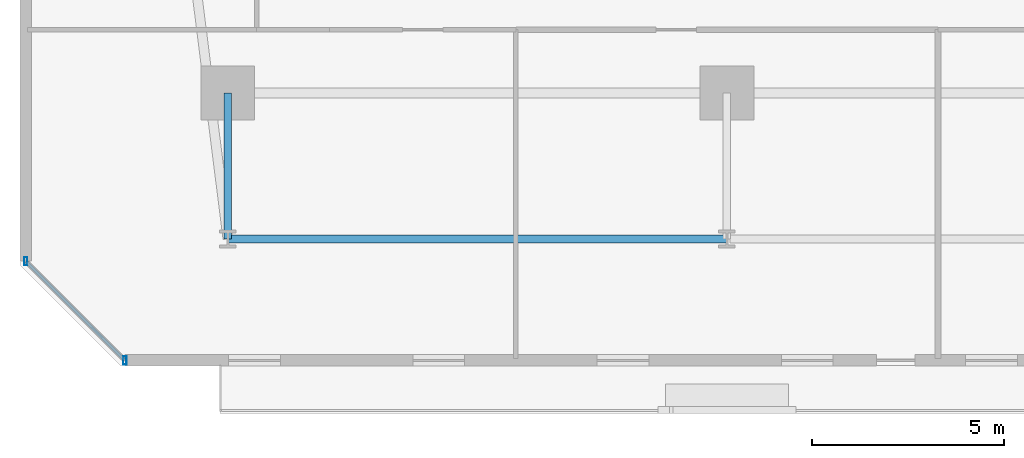
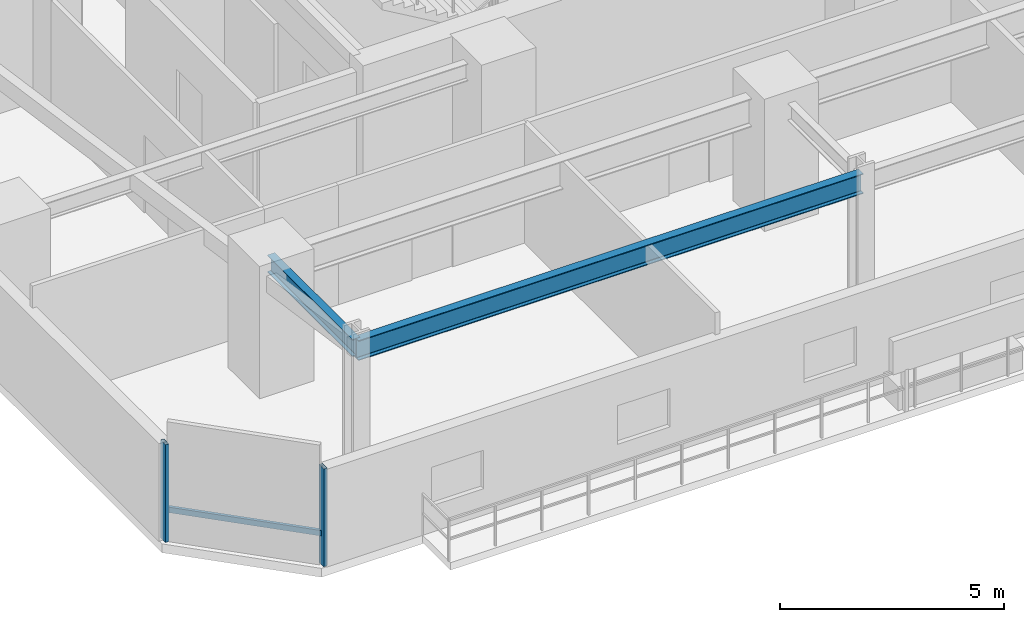
# One storey, part 3 of 36: 3 members, 2 beams, 1 element without a shape of its own.
"""IFC4 building model written with IfcOpenShell, lengths in metres."""

from ifc_helpers import new_model, si_unit, direction, frame, origin, origin_2d, place, context, subcontext, project, spatial, hollow_rectangle, i_section, extrude, material, material_profile, profile_set, type_object, element, aggregate, save


model = new_model("IFC4")

# Units and contexts
model_context = context("Model", 3, precision=1e-05, world=origin(), true_north=direction((0.0, 1.0)))
body_context = subcontext(model_context, "Body", "Model", "MODEL_VIEW")
ifc_project = project(units=[si_unit("LENGTHUNIT", "METRE"), si_unit("AREAUNIT", "SQUARE_METRE"), si_unit("VOLUMEUNIT", "CUBIC_METRE"), si_unit("PLANEANGLEUNIT", "RADIAN"), si_unit("MASSUNIT", "GRAM", prefix="KILO")], contexts=[model_context])

# Site, building, storey
site_placement = place(None, origin())
site = spatial("IfcSite", under=ifc_project, at=site_placement, CompositionType="ELEMENT")
building_placement = place(site_placement, origin())
building = spatial("IfcBuilding", under=site, at=building_placement, Name="Thornwick Lancets Civic Towers", CompositionType="ELEMENT")
storey_placement = place(building_placement, frame((0.0, 0.0, 68.10009765625)))
storey = spatial("IfcBuildingStorey", under=building, at=storey_placement, Name="L17", CompositionType="ELEMENT", Elevation=68.10009765625)

# Beams
ifc_material_1 = material(Name="Steel S355JR", Category="steel")
ifc_material_profile_1 = material_profile(ifc_material_1, i_section(OverallWidth=0.2119140625, OverallDepth=0.54443359375, WebThickness=0.0126953125, FlangeThickness=0.021240234375, FilletRadius=0.0126953125, at=origin_2d()), Name="UKB 533x210x122")
ifc_profile_set_1 = profile_set([ifc_material_profile_1], Name="Steel S355JR")
beam_type_1 = type_object("IfcBeamType", Name="BM_EDGE_533_122", PredefinedType="SPANDREL", material=ifc_profile_set_1)
beam_1_placement = place(storey_placement, frame((12.5, 5.89990234375, 3.007568359375), z_axis=(1.0, 0.0, 0.0), x_axis=(0.0, 1.0, 0.0)))
element("IfcBeam", 1, at=beam_1_placement, inside=storey, type_object=beam_type_1, Name="BM-EDGE-L17-A-S0-1", PredefinedType="SPANDREL", context=body_context, shape_type="SweptSolid", body=[
    extrude(i_section(OverallWidth=0.2119140625, OverallDepth=0.54443359375, WebThickness=0.0126953125, FlangeThickness=0.021240234375, FilletRadius=0.0126953125, at=origin_2d()), origin(), (0.0, 0.0, 1.0), 13.0),
])
ifc_material_profile_2 = material_profile(ifc_material_1, i_section(OverallWidth=0.19287109375, OverallDepth=0.46728515625, WebThickness=0.011474609375, FlangeThickness=0.01953125, FilletRadius=0.01025390625, at=origin_2d()), Name="UKB 457x191x98")
ifc_profile_set_2 = profile_set([ifc_material_profile_2], Name="Steel S355JR")
beam_type_2 = type_object("IfcBeamType", Name="BM_JOIST_457_98", PredefinedType="JOIST", material=ifc_profile_set_2)
beam_2_placement = place(storey_placement, frame((12.5, 9.699951171875, 3.04638671875), z_axis=(0.0, -1.0, 0.0), x_axis=(1.0, 0.0, 0.0)))
element("IfcBeam", 2, at=beam_2_placement, inside=storey, type_object=beam_type_2, Name="BM-RAD-L17-A01", PredefinedType="JOIST", context=body_context, shape_type="SweptSolid", body=[
    extrude(i_section(OverallWidth=0.19287109375, OverallDepth=0.46728515625, WebThickness=0.011474609375, FlangeThickness=0.01953125, FilletRadius=0.01025390625, at=origin_2d()), origin(), (0.0, 0.0, 1.0), 3.800048828125),
])

# Curtain wall, members
ifc_material_2 = material(Name="Low-zone chamfered-corner unitised glass curtain wall", Category="glass")
curtain_wall_type = type_object("IfcCurtainWallType", Name="CW_SYS_03", PredefinedType="NOTDEFINED", material=ifc_material_2)
curtain_wall_placement = place(storey_placement, origin())
curtain_wall = element("IfcCurtainWall", 3, at=curtain_wall_placement, inside=storey, type_object=curtain_wall_type, Name="L17 Curtain Wall CW-L17-A-E7", PredefinedType="NOTDEFINED")
ifc_material_3 = material(Name="Thermally broken bronze aluminium S355", Category="steel")
ifc_material_profile_3 = material_profile(ifc_material_3, hollow_rectangle(XDim=0.090087890625, YDim=0.219970703125, WallThickness=0.00634765625, at=origin_2d()), Name="RHS 220x90x6.3")
ifc_profile_set_3 = profile_set([ifc_material_profile_3], Name="Thermally broken bronze aluminium S355")
member_type_1 = type_object("IfcMemberType", Name="CW_MUL_220", PredefinedType="MULLION", material=ifc_profile_set_3)
member_1_placement = place(storey_placement, frame((7.235107421875, 5.31884765625, 0.0), z_axis=(0.0, 0.0, 1.0), x_axis=(1.0, 0.0, 0.0)))
member_1 = element("IfcMember", 4, at=member_1_placement, type_object=member_type_1, Name="CW-L17-A-E7 Mullion 0", PredefinedType="MULLION", context=body_context, shape_type="SweptSolid", body=[
    extrude(hollow_rectangle(XDim=0.090087890625, YDim=0.219970703125, WallThickness=0.00634765625, at=origin_2d()), origin(), (0.0, 0.0, 1.0), 2.659912109375),
])
member_2_placement = place(storey_placement, frame((9.81884765625, 2.735107421875, 0.0), z_axis=(0.0, 0.0, 1.0), x_axis=(1.0, 0.0, 0.0)))
member_2 = element("IfcMember", 5, at=member_2_placement, type_object=member_type_1, Name="CW-L17-A-E7 Mullion 1", PredefinedType="MULLION", context=body_context, shape_type="SweptSolid", body=[
    extrude(hollow_rectangle(XDim=0.090087890625, YDim=0.219970703125, WallThickness=0.00634765625, at=origin_2d()), origin(), (0.0, 0.0, 1.0), 2.659912109375),
])
ifc_material_profile_4 = material_profile(ifc_material_3, hollow_rectangle(XDim=0.074951171875, YDim=0.14990234375, WallThickness=0.0048828125, at=origin_2d()), Name="RHS 150x75x5")
ifc_profile_set_4 = profile_set([ifc_material_profile_4], Name="Thermally broken bronze aluminium S355")
member_type_2 = type_object("IfcMemberType", Name="CW_TRN_150", PredefinedType="USERDEFINED", material=ifc_profile_set_4)
member_3_placement = place(storey_placement, frame((7.249267578125, 5.3046875, 0.849853515625), z_axis=(0.707106781187, -0.707106781187, 0.0), x_axis=(0.707106781187, 0.707106781187, 0.0)))
member_3 = element("IfcMember", 6, at=member_3_placement, type_object=member_type_2, Name="CW-L17-A-E7 Transom 0", ObjectType="TRANSOM", PredefinedType="USERDEFINED", context=body_context, shape_type="SweptSolid", body=[
    extrude(hollow_rectangle(XDim=0.074951171875, YDim=0.14990234375, WallThickness=0.0048828125, at=origin_2d()), origin(), (0.0, 0.0, 1.0), 3.614013671875),
])
aggregate(curtain_wall, [member_1, member_2, member_3])

save(model, "model.ifc")
